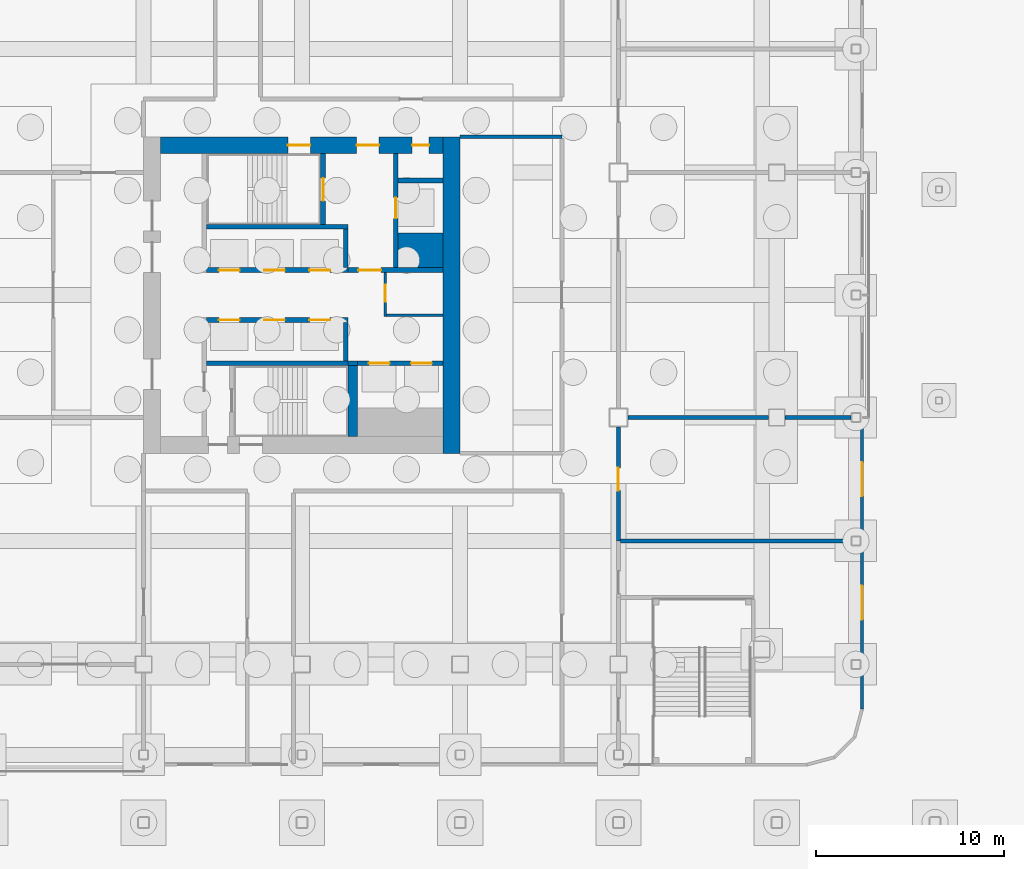
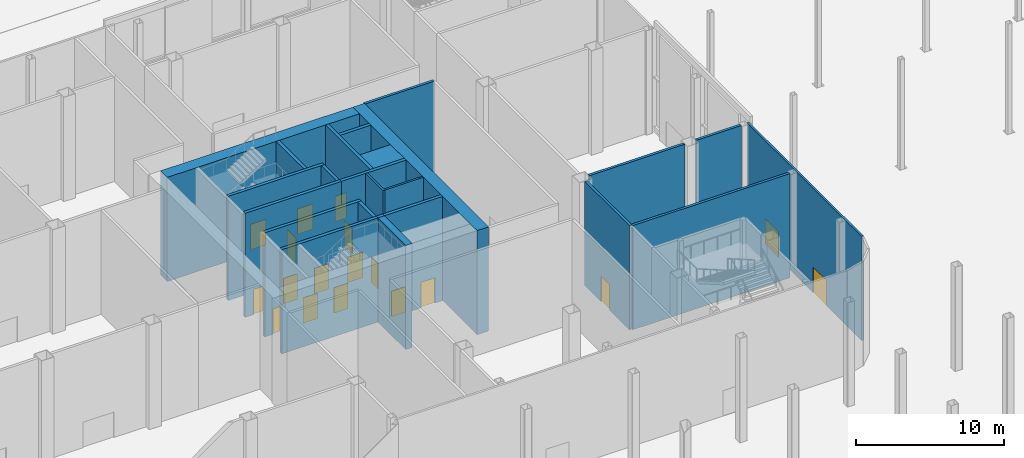
# One storey, part 41 of 113: 24 walls, 18 doors, 18 openings.
"""IFC4 building model written with IfcOpenShell, lengths in metres."""

from ifc_helpers import new_model, si_unit, direction, frame, frame_2d, origin, place, context, subcontext, project, spatial, rectangle, extrude, material, layer, layer_set, type_object, element, fill, save


model = new_model("IFC4")

# Units and contexts
model_context = context("Model", 3, precision=1e-05, world=origin(), true_north=direction((0.0, 1.0)))
body_context = subcontext(model_context, "Body", "Model", "MODEL_VIEW")
ifc_project = project(units=[si_unit("LENGTHUNIT", "METRE"), si_unit("AREAUNIT", "SQUARE_METRE"), si_unit("VOLUMEUNIT", "CUBIC_METRE"), si_unit("PLANEANGLEUNIT", "RADIAN"), si_unit("MASSUNIT", "GRAM", prefix="KILO")], contexts=[model_context])

# Site, building, storey
site_placement = place(None, origin())
site = spatial("IfcSite", under=ifc_project, at=site_placement, CompositionType="ELEMENT")
building_placement = place(site_placement, origin())
building = spatial("IfcBuilding", under=site, at=building_placement, Name="Hakoniwa Tower and Hamabe Station Hall", CompositionType="ELEMENT")
storey_placement = place(building_placement, origin())
storey = spatial("IfcBuildingStorey", under=building, at=storey_placement, Name="L01", CompositionType="ELEMENT", Elevation=0.0)

# Wall, opening, door
ifc_material_1 = material(Name="Gypsum board partition")
ifc_layer_1 = layer(ifc_material_1, 0.14990234375)
ifc_layer_set_1 = layer_set([ifc_layer_1], Name="CORE PARTITION 150 EI 60")
wall_type_1 = type_object("IfcWallType", Name="CORE PARTITION 150 EI 60", PredefinedType="PARTITIONING", material=ifc_layer_set_1)
wall_1_placement = place(storey_placement, frame((29.625, -1.14990234375, 0.0), z_axis=(0.0, 0.0, 1.0), x_axis=(0.0, 1.0, 0.0)))
wall_1 = element("IfcWall", 1, at=wall_1_placement, inside=storey, type_object=wall_type_1, Name="Core partition PW0 east", PredefinedType="PARTITIONING", context=body_context, shape_type="SweptSolid", body=[
    extrude(rectangle(XDim=2.349853515625, YDim=0.14990234375, at=frame_2d((1.1748046875, 0.0))), origin(), (0.0, 0.0, 1.0), 8.60009765625),
])
opening_1_placement = place(wall_1_placement, frame((0.800048828125, 0.0, 0.0)))
opening_1 = element("IfcOpeningElement", 2, at=opening_1_placement, cuts=wall_1, Name="Opening CD-E-RM1-9", PredefinedType="OPENING", context=body_context, shape_type="SweptSolid", body=[
    extrude(rectangle(XDim=0.89990234375, YDim=2.10009765625, at=frame_2d((0.449951171875, 1.050048828125))), frame((0.0, 0.0849609375, 0.0), z_axis=(0.0, -1.0, 0.0), x_axis=(1.0, 0.0, 0.0)), (0.0, 0.0, 1.0), 0.169921875),
])
ifc_material_2 = material(Name="Steel fire door", Category="steel")
door_type_1 = type_object("IfcDoorType", Name="CORE DOOR 900 FD30", OperationType="NOTDEFINED", PredefinedType="DOOR", material=ifc_material_2)
door_1_placement = place(opening_1_placement, origin())
door_1 = element("IfcDoor", 3, at=door_1_placement, inside=storey, type_object=door_type_1, Name="Store room door", OperationType="SINGLE_SWING_RIGHT", OverallHeight=2.10009765625, OverallWidth=0.89990234375, PredefinedType="DOOR", context=body_context, shape_type="SweptSolid", body=[
    extrude(rectangle(XDim=0.89990234375, YDim=2.10009765625, at=frame_2d((0.449951171875, 1.050048828125))), frame((0.0, 0.02490234375, 0.0), z_axis=(0.0, -1.0, 0.0), x_axis=(1.0, 0.0, 0.0)), (0.0, 0.0, 1.0), 0.050048828125),
])
fill(opening_1, door_1)

# Walls
wall_2_placement = place(storey_placement, frame((29.699951171875, -1.074951171875, 0.0), z_axis=(0.0, 0.0, 1.0), x_axis=(1.0, 0.0, 0.0)))
element("IfcWall", 4, at=wall_2_placement, inside=storey, type_object=wall_type_1, Name="Core partition PS east", PredefinedType="PARTITIONING", context=body_context, shape_type="SweptSolid", body=[
    extrude(rectangle(XDim=3.0, YDim=0.14990234375, at=frame_2d((1.5, 0.0))), origin(), (0.0, 0.0, 1.0), 8.60009765625),
])
ifc_material_3 = material(Name="Concrete C80", Category="concrete")
ifc_layer_2 = layer(ifc_material_3, 0.89990234375)
ifc_layer_set_2 = layer_set([ifc_layer_2], Name="CORE WALL 900 C80")
wall_type_2 = type_object("IfcWallType", Name="CORE WALL 900 C80", PredefinedType="SHEAR", material=ifc_layer_set_2)
wall_3_placement = place(storey_placement, frame((33.14990234375, -8.39990234375, 0.0), z_axis=(0.0, 0.0, 1.0), x_axis=(0.0, 1.0, 0.0)))
element("IfcWall", 5, at=wall_3_placement, inside=storey, type_object=wall_type_2, Name="Core wall OUTER east", PredefinedType="SHEAR", context=body_context, shape_type="SweptSolid", body=[
    extrude(rectangle(XDim=16.7998046875, YDim=0.89990234375, at=frame_2d((8.39990234375, 0.0))), origin(), (0.0, 0.0, 1.0), 8.60009765625),
])

# Wall, openings, doors
wall_4_placement = place(storey_placement, frame((17.699951171875, 7.949951171875, 0.0), z_axis=(0.0, 0.0, 1.0), x_axis=(1.0, 0.0, 0.0)))
wall_4 = element("IfcWall", 6, at=wall_4_placement, inside=storey, type_object=wall_type_2, Name="Core wall NORTH east", PredefinedType="SHEAR", context=body_context, shape_type="SweptSolid", body=[
    extrude(rectangle(XDim=15.0, YDim=0.89990234375, at=frame_2d((7.5, 0.0))), origin(), (0.0, 0.0, 1.0), 8.60009765625),
])
opening_2_placement = place(wall_4_placement, frame((10.39990234375, 0.0, 0.0)))
opening_2 = element("IfcOpeningElement", 7, at=opening_2_placement, cuts=wall_4, Name="Opening CD-E-FN1-12", PredefinedType="OPENING", context=body_context, shape_type="SweptSolid", body=[
    extrude(rectangle(XDim=1.199951171875, YDim=2.10009765625, at=frame_2d((0.60009765625, 1.050048828125))), frame((0.0, 0.4599609375, 0.0), z_axis=(0.0, -1.0, 0.0), x_axis=(1.0, 0.0, 0.0)), (0.0, 0.0, 1.0), 0.919921875),
])
opening_3_placement = place(wall_4_placement, frame((13.35009765625, 0.0, 0.0)))
opening_3 = element("IfcOpeningElement", 8, at=opening_3_placement, cuts=wall_4, Name="Opening CD-E-FN2-9", PredefinedType="OPENING", context=body_context, shape_type="SweptSolid", body=[
    extrude(rectangle(XDim=0.89990234375, YDim=2.10009765625, at=frame_2d((0.449951171875, 1.050048828125))), frame((0.0, 0.4599609375, 0.0), z_axis=(0.0, -1.0, 0.0), x_axis=(1.0, 0.0, 0.0)), (0.0, 0.0, 1.0), 0.919921875),
])
opening_4_placement = place(wall_4_placement, frame((6.75, 0.0, 0.0)))
opening_4 = element("IfcOpeningElement", 9, at=opening_4_placement, cuts=wall_4, Name="Opening CD-E-FN4-12", PredefinedType="OPENING", context=body_context, shape_type="SweptSolid", body=[
    extrude(rectangle(XDim=1.199951171875, YDim=2.10009765625, at=frame_2d((0.60009765625, 1.050048828125))), frame((0.0, 0.4599609375, 0.0), z_axis=(0.0, -1.0, 0.0), x_axis=(1.0, 0.0, 0.0)), (0.0, 0.0, 1.0), 0.919921875),
])
ifc_material_4 = material(Name="Steel fire door", Category="steel")
door_type_2 = type_object("IfcDoorType", Name="CORE DOOR 1200 FD60", OperationType="DOUBLE_DOOR_SINGLE_SWING", PredefinedType="DOOR", material=ifc_material_4)
door_2_placement = place(opening_2_placement, origin())
door_2 = element("IfcDoor", 10, at=door_2_placement, inside=storey, type_object=door_type_2, Name="Stair vestibule door to the fire-fighting lobby", OperationType="DOUBLE_DOOR_SINGLE_SWING", OverallHeight=2.10009765625, OverallWidth=1.199951171875, PredefinedType="DOOR", context=body_context, shape_type="SweptSolid", body=[
    extrude(rectangle(XDim=1.199951171875, YDim=2.10009765625, at=frame_2d((0.60009765625, 1.050048828125))), frame((0.0, 0.02490234375, 0.0), z_axis=(0.0, -1.0, 0.0), x_axis=(1.0, 0.0, 0.0)), (0.0, 0.0, 1.0), 0.050048828125),
])
fill(opening_2, door_2)
door_3_placement = place(opening_4_placement, origin())
door_3 = element("IfcDoor", 11, at=door_3_placement, inside=storey, type_object=door_type_2, Name="Escape stair discharge door A", OperationType="DOUBLE_DOOR_SINGLE_SWING", OverallHeight=2.10009765625, OverallWidth=1.199951171875, PredefinedType="DOOR", context=body_context, shape_type="SweptSolid", body=[
    extrude(rectangle(XDim=1.199951171875, YDim=2.10009765625, at=frame_2d((0.60009765625, 1.050048828125))), frame((0.0, 0.02490234375, 0.0), z_axis=(0.0, -1.0, 0.0), x_axis=(1.0, 0.0, 0.0)), (0.0, 0.0, 1.0), 0.050048828125),
])
fill(opening_4, door_3)
door_4_placement = place(opening_3_placement, origin())
door_4 = element("IfcDoor", 12, at=door_4_placement, inside=storey, type_object=door_type_1, Name="Riser access door", OperationType="SINGLE_SWING_LEFT", OverallHeight=2.10009765625, OverallWidth=0.89990234375, PredefinedType="DOOR", context=body_context, shape_type="SweptSolid", body=[
    extrude(rectangle(XDim=0.89990234375, YDim=2.10009765625, at=frame_2d((0.449951171875, 1.050048828125))), frame((0.0, 0.02490234375, 0.0), z_axis=(0.0, -1.0, 0.0), x_axis=(1.0, 0.0, 0.0)), (0.0, 0.0, 1.0), 0.050048828125),
])
fill(opening_3, door_4)

# Wall
ifc_material_5 = material(Name="Concrete C80", Category="concrete")
ifc_layer_3 = layer(ifc_material_5, 1.85009765625)
ifc_layer_set_3 = layer_set([ifc_layer_3], Name="CORE WEB WALL 1850 C80")
wall_type_3 = type_object("IfcWallType", Name="CORE WEB WALL 1850 C80", PredefinedType="SHEAR", material=ifc_layer_set_3)
wall_5_placement = place(storey_placement, frame((30.300048828125, 2.375, 0.0), z_axis=(0.0, 0.0, 1.0), x_axis=(1.0, 0.0, 0.0)))
element("IfcWall", 13, at=wall_5_placement, inside=storey, type_object=wall_type_3, Name="Core wall CA east", PredefinedType="SHEAR", context=body_context, shape_type="SweptSolid", body=[
    extrude(rectangle(XDim=2.39990234375, YDim=1.85009765625, at=frame_2d((1.199951171875, 0.0))), origin(), (0.0, 0.0, 1.0), 8.60009765625),
])

# Wall, openings, doors
ifc_material_6 = material(Name="Concrete C80", Category="concrete")
ifc_layer_4 = layer(ifc_material_6, 0.25)
ifc_layer_set_4 = layer_set([ifc_layer_4], Name="CORE WEB WALL 250 C80")
wall_type_4 = type_object("IfcWallType", Name="CORE WEB WALL 250 C80", PredefinedType="SHEAR", material=ifc_layer_set_4)
wall_6_placement = place(storey_placement, frame((20.14990234375, 1.324951171875, 0.0), z_axis=(0.0, 0.0, 1.0), x_axis=(1.0, 0.0, 0.0)))
wall_6 = element("IfcWall", 14, at=wall_6_placement, inside=storey, type_object=wall_type_4, Name="Core wall NF east", PredefinedType="SHEAR", context=body_context, shape_type="SweptSolid", body=[
    extrude(rectangle(XDim=7.5, YDim=0.25, at=frame_2d((3.75, 0.0))), origin(), (0.0, 0.0, 1.0), 8.60009765625),
])
opening_5_placement = place(wall_6_placement, frame((0.64990234375, 0.0, 0.0)))
opening_5 = element("IfcOpeningElement", 15, at=opening_5_placement, cuts=wall_6, Name="Opening LD-LR4", PredefinedType="OPENING", context=body_context, shape_type="SweptSolid", body=[
    extrude(rectangle(XDim=1.10009765625, YDim=2.10009765625, at=frame_2d((0.550048828125, 1.050048828125))), frame((0.0, 0.135009765625, 0.0), z_axis=(0.0, -1.0, 0.0), x_axis=(1.0, 0.0, 0.0)), (0.0, 0.0, 1.0), 0.27001953125),
])
opening_6_placement = place(wall_6_placement, frame((3.050048828125, 0.0, 0.0)))
opening_6 = element("IfcOpeningElement", 16, at=opening_6_placement, cuts=wall_6, Name="Opening LD-LR5", PredefinedType="OPENING", context=body_context, shape_type="SweptSolid", body=[
    extrude(rectangle(XDim=1.10009765625, YDim=2.10009765625, at=frame_2d((0.550048828125, 1.050048828125))), frame((0.0, 0.135009765625, 0.0), z_axis=(0.0, -1.0, 0.0), x_axis=(1.0, 0.0, 0.0)), (0.0, 0.0, 1.0), 0.27001953125),
])
opening_7_placement = place(wall_6_placement, frame((5.449951171875, 0.0, 0.0)))
opening_7 = element("IfcOpeningElement", 17, at=opening_7_placement, cuts=wall_6, Name="Opening LD-LR6", PredefinedType="OPENING", context=body_context, shape_type="SweptSolid", body=[
    extrude(rectangle(XDim=1.10009765625, YDim=2.10009765625, at=frame_2d((0.550048828125, 1.050048828125))), frame((0.0, 0.135009765625, 0.0), z_axis=(0.0, -1.0, 0.0), x_axis=(1.0, 0.0, 0.0)), (0.0, 0.0, 1.0), 0.27001953125),
])
ifc_material_7 = material(Name="Stainless steel SUS304", Category="steel")
door_type_3 = type_object("IfcDoorType", Name="LIFT LANDING DOOR 1100 FD60", OperationType="DOUBLE_DOOR_SLIDING", PredefinedType="DOOR", material=ifc_material_7)
door_5_placement = place(opening_5_placement, origin())
door_5 = element("IfcDoor", 18, at=door_5_placement, inside=storey, type_object=door_type_3, Name="Lift landing door LR4 L01", OperationType="DOUBLE_DOOR_SLIDING", OverallHeight=2.10009765625, OverallWidth=1.10009765625, PredefinedType="DOOR", context=body_context, shape_type="SweptSolid", body=[
    extrude(rectangle(XDim=1.10009765625, YDim=2.10009765625, at=frame_2d((0.550048828125, 1.050048828125))), frame((0.0, 0.02490234375, 0.0), z_axis=(0.0, -1.0, 0.0), x_axis=(1.0, 0.0, 0.0)), (0.0, 0.0, 1.0), 0.050048828125),
])
fill(opening_5, door_5)
door_6_placement = place(opening_6_placement, origin())
door_6 = element("IfcDoor", 19, at=door_6_placement, inside=storey, type_object=door_type_3, Name="Lift landing door LR5 L01", OperationType="DOUBLE_DOOR_SLIDING", OverallHeight=2.10009765625, OverallWidth=1.10009765625, PredefinedType="DOOR", context=body_context, shape_type="SweptSolid", body=[
    extrude(rectangle(XDim=1.10009765625, YDim=2.10009765625, at=frame_2d((0.550048828125, 1.050048828125))), frame((0.0, 0.02490234375, 0.0), z_axis=(0.0, -1.0, 0.0), x_axis=(1.0, 0.0, 0.0)), (0.0, 0.0, 1.0), 0.050048828125),
])
fill(opening_6, door_6)
door_7_placement = place(opening_7_placement, origin())
door_7 = element("IfcDoor", 20, at=door_7_placement, inside=storey, type_object=door_type_3, Name="Lift landing door LR6 L01", OperationType="DOUBLE_DOOR_SLIDING", OverallHeight=2.10009765625, OverallWidth=1.10009765625, PredefinedType="DOOR", context=body_context, shape_type="SweptSolid", body=[
    extrude(rectangle(XDim=1.10009765625, YDim=2.10009765625, at=frame_2d((0.550048828125, 1.050048828125))), frame((0.0, 0.02490234375, 0.0), z_axis=(0.0, -1.0, 0.0), x_axis=(1.0, 0.0, 0.0)), (0.0, 0.0, 1.0), 0.050048828125),
])
fill(opening_7, door_7)

# Walls
wall_7_placement = place(storey_placement, frame((27.52490234375, 1.449951171875, 0.0), z_axis=(0.0, 0.0, 1.0), x_axis=(0.0, 1.0, 0.0)))
element("IfcWall", 21, at=wall_7_placement, inside=storey, type_object=wall_type_4, Name="Core wall NE east", PredefinedType="SHEAR", context=body_context, shape_type="SweptSolid", body=[
    extrude(rectangle(XDim=2.050048828125, YDim=0.25, at=frame_2d((1.02490234375, 0.0))), origin(), (0.0, 0.0, 1.0), 8.60009765625),
])
wall_8_placement = place(storey_placement, frame((20.14990234375, 3.625, 0.0), z_axis=(0.0, 0.0, 1.0), x_axis=(1.0, 0.0, 0.0)))
element("IfcWall", 22, at=wall_8_placement, inside=storey, type_object=wall_type_4, Name="Core wall NR east", PredefinedType="SHEAR", context=body_context, shape_type="SweptSolid", body=[
    extrude(rectangle(XDim=7.5, YDim=0.25, at=frame_2d((3.75, 0.0))), origin(), (0.0, 0.0, 1.0), 8.60009765625),
])

# Wall, opening, door
wall_9_placement = place(storey_placement, frame((26.324951171875, 3.75, 0.0), z_axis=(0.0, 0.0, 1.0), x_axis=(0.0, 1.0, 0.0)))
wall_9 = element("IfcWall", 23, at=wall_9_placement, inside=storey, type_object=wall_type_4, Name="Core wall NSE east", PredefinedType="SHEAR", context=body_context, shape_type="SweptSolid", body=[
    extrude(rectangle(XDim=3.75, YDim=0.25, at=frame_2d((1.875, 0.0))), origin(), (0.0, 0.0, 1.0), 8.60009765625),
])
opening_8_placement = place(wall_9_placement, frame((1.25, 0.0, 0.0)))
opening_8 = element("IfcOpeningElement", 24, at=opening_8_placement, cuts=wall_9, Name="Opening CD-E-SN-12", PredefinedType="OPENING", context=body_context, shape_type="SweptSolid", body=[
    extrude(rectangle(XDim=1.199951171875, YDim=2.10009765625, at=frame_2d((0.60009765625, 1.050048828125))), frame((0.0, 0.135009765625, 0.0), z_axis=(0.0, -1.0, 0.0), x_axis=(1.0, 0.0, 0.0)), (0.0, 0.0, 1.0), 0.27001953125),
])
door_8_placement = place(opening_8_placement, origin())
door_8 = element("IfcDoor", 25, at=door_8_placement, inside=storey, type_object=door_type_2, Name="Escape stair door", OperationType="DOUBLE_DOOR_SINGLE_SWING", OverallHeight=2.10009765625, OverallWidth=1.199951171875, PredefinedType="DOOR", context=body_context, shape_type="SweptSolid", body=[
    extrude(rectangle(XDim=1.199951171875, YDim=2.10009765625, at=frame_2d((0.60009765625, 1.050048828125))), frame((0.0, 0.02490234375, 0.0), z_axis=(0.0, -1.0, 0.0), x_axis=(1.0, 0.0, 0.0)), (0.0, 0.0, 1.0), 0.050048828125),
])
fill(opening_8, door_8)

wall_10_placement = place(storey_placement, frame((27.64990234375, 1.324951171875, 0.0), z_axis=(0.0, 0.0, 1.0), x_axis=(1.0, 0.0, 0.0)))
wall_10 = element("IfcWall", 26, at=wall_10_placement, inside=storey, type_object=wall_type_4, Name="Core wall ELN east", PredefinedType="SHEAR", context=body_context, shape_type="SweptSolid", body=[
    extrude(rectangle(XDim=5.050048828125, YDim=0.25, at=frame_2d((2.52490234375, 0.0))), origin(), (0.0, 0.0, 1.0), 8.60009765625),
])
opening_9_placement = place(wall_10_placement, frame((0.550048828125, 0.0, 0.0)))
opening_9 = element("IfcOpeningElement", 27, at=opening_9_placement, cuts=wall_10, Name="Opening CD-E-FL-12", PredefinedType="OPENING", context=body_context, shape_type="SweptSolid", body=[
    extrude(rectangle(XDim=1.199951171875, YDim=2.10009765625, at=frame_2d((0.60009765625, 1.050048828125))), frame((0.0, 0.135009765625, 0.0), z_axis=(0.0, -1.0, 0.0), x_axis=(1.0, 0.0, 0.0)), (0.0, 0.0, 1.0), 0.27001953125),
])
door_9_placement = place(opening_9_placement, origin())
door_9 = element("IfcDoor", 28, at=door_9_placement, inside=storey, type_object=door_type_2, Name="Stair vestibule door to the fire-fighting lobby", OperationType="DOUBLE_DOOR_SINGLE_SWING", OverallHeight=2.10009765625, OverallWidth=1.199951171875, PredefinedType="DOOR", context=body_context, shape_type="SweptSolid", body=[
    extrude(rectangle(XDim=1.199951171875, YDim=2.10009765625, at=frame_2d((0.60009765625, 1.050048828125))), frame((0.0, 0.02490234375, 0.0), z_axis=(0.0, -1.0, 0.0), x_axis=(1.0, 0.0, 0.0)), (0.0, 0.0, 1.0), 0.050048828125),
])
fill(opening_9, door_9)

wall_11_placement = place(storey_placement, frame((30.175048828125, 1.449951171875, 0.0), z_axis=(0.0, 0.0, 1.0), x_axis=(0.0, 1.0, 0.0)))
wall_11 = element("IfcWall", 29, at=wall_11_placement, inside=storey, type_object=wall_type_4, Name="Core wall FFF east", PredefinedType="SHEAR", context=body_context, shape_type="SweptSolid", body=[
    extrude(rectangle(XDim=6.050048828125, YDim=0.25, at=frame_2d((3.02490234375, 0.0))), origin(), (0.0, 0.0, 1.0), 8.60009765625),
])
opening_10_placement = place(wall_11_placement, frame((2.625, 0.0, 0.0)))
opening_10 = element("IfcOpeningElement", 30, at=opening_10_placement, cuts=wall_11, Name="Opening LD-FF2", PredefinedType="OPENING", context=body_context, shape_type="SweptSolid", body=[
    extrude(rectangle(XDim=1.10009765625, YDim=2.10009765625, at=frame_2d((0.550048828125, 1.050048828125))), frame((0.0, 0.135009765625, 0.0), z_axis=(0.0, -1.0, 0.0), x_axis=(1.0, 0.0, 0.0)), (0.0, 0.0, 1.0), 0.27001953125),
])
door_10_placement = place(opening_10_placement, origin())
door_10 = element("IfcDoor", 31, at=door_10_placement, inside=storey, type_object=door_type_3, Name="Lift landing door FF2 L01", OperationType="DOUBLE_DOOR_SLIDING", OverallHeight=2.10009765625, OverallWidth=1.10009765625, PredefinedType="DOOR", context=body_context, shape_type="SweptSolid", body=[
    extrude(rectangle(XDim=1.10009765625, YDim=2.10009765625, at=frame_2d((0.550048828125, 1.050048828125))), frame((0.0, 0.02490234375, 0.0), z_axis=(0.0, -1.0, 0.0), x_axis=(1.0, 0.0, 0.0)), (0.0, 0.0, 1.0), 0.050048828125),
])
fill(opening_10, door_10)

# Wall
wall_12_placement = place(storey_placement, frame((30.300048828125, 6.074951171875, 0.0), z_axis=(0.0, 0.0, 1.0), x_axis=(1.0, 0.0, 0.0)))
element("IfcWall", 32, at=wall_12_placement, inside=storey, type_object=wall_type_4, Name="Core wall C2 east", PredefinedType="SHEAR", context=body_context, shape_type="SweptSolid", body=[
    extrude(rectangle(XDim=2.39990234375, YDim=0.25, at=frame_2d((1.199951171875, 0.0))), origin(), (0.0, 0.0, 1.0), 8.60009765625),
])

# Wall, openings, doors
wall_13_placement = place(storey_placement, frame((20.14990234375, -1.324951171875, 0.0), z_axis=(0.0, 0.0, 1.0), x_axis=(1.0, 0.0, 0.0)))
wall_13 = element("IfcWall", 33, at=wall_13_placement, inside=storey, type_object=wall_type_4, Name="Core wall SF east", PredefinedType="SHEAR", context=body_context, shape_type="SweptSolid", body=[
    extrude(rectangle(XDim=7.5, YDim=0.25, at=frame_2d((3.75, 0.0))), origin(), (0.0, 0.0, 1.0), 8.60009765625),
])
opening_11_placement = place(wall_13_placement, frame((0.64990234375, 0.0, 0.0)))
opening_11 = element("IfcOpeningElement", 34, at=opening_11_placement, cuts=wall_13, Name="Opening LD-HR4", PredefinedType="OPENING", context=body_context, shape_type="SweptSolid", body=[
    extrude(rectangle(XDim=1.10009765625, YDim=2.10009765625, at=frame_2d((0.550048828125, 1.050048828125))), frame((0.0, 0.135009765625, 0.0), z_axis=(0.0, -1.0, 0.0), x_axis=(1.0, 0.0, 0.0)), (0.0, 0.0, 1.0), 0.27001953125),
])
opening_12_placement = place(wall_13_placement, frame((3.050048828125, 0.0, 0.0)))
opening_12 = element("IfcOpeningElement", 35, at=opening_12_placement, cuts=wall_13, Name="Opening LD-HR5", PredefinedType="OPENING", context=body_context, shape_type="SweptSolid", body=[
    extrude(rectangle(XDim=1.10009765625, YDim=2.10009765625, at=frame_2d((0.550048828125, 1.050048828125))), frame((0.0, 0.135009765625, 0.0), z_axis=(0.0, -1.0, 0.0), x_axis=(1.0, 0.0, 0.0)), (0.0, 0.0, 1.0), 0.27001953125),
])
opening_13_placement = place(wall_13_placement, frame((5.449951171875, 0.0, 0.0)))
opening_13 = element("IfcOpeningElement", 36, at=opening_13_placement, cuts=wall_13, Name="Opening LD-HR6", PredefinedType="OPENING", context=body_context, shape_type="SweptSolid", body=[
    extrude(rectangle(XDim=1.10009765625, YDim=2.10009765625, at=frame_2d((0.550048828125, 1.050048828125))), frame((0.0, 0.135009765625, 0.0), z_axis=(0.0, -1.0, 0.0), x_axis=(1.0, 0.0, 0.0)), (0.0, 0.0, 1.0), 0.27001953125),
])
door_11_placement = place(opening_11_placement, origin())
door_11 = element("IfcDoor", 37, at=door_11_placement, inside=storey, type_object=door_type_3, Name="Lift landing door HR4 L01", OperationType="DOUBLE_DOOR_SLIDING", OverallHeight=2.10009765625, OverallWidth=1.10009765625, PredefinedType="DOOR", context=body_context, shape_type="SweptSolid", body=[
    extrude(rectangle(XDim=1.10009765625, YDim=2.10009765625, at=frame_2d((0.550048828125, 1.050048828125))), frame((0.0, 0.02490234375, 0.0), z_axis=(0.0, -1.0, 0.0), x_axis=(1.0, 0.0, 0.0)), (0.0, 0.0, 1.0), 0.050048828125),
])
fill(opening_11, door_11)
door_12_placement = place(opening_12_placement, origin())
door_12 = element("IfcDoor", 38, at=door_12_placement, inside=storey, type_object=door_type_3, Name="Lift landing door HR5 L01", OperationType="DOUBLE_DOOR_SLIDING", OverallHeight=2.10009765625, OverallWidth=1.10009765625, PredefinedType="DOOR", context=body_context, shape_type="SweptSolid", body=[
    extrude(rectangle(XDim=1.10009765625, YDim=2.10009765625, at=frame_2d((0.550048828125, 1.050048828125))), frame((0.0, 0.02490234375, 0.0), z_axis=(0.0, -1.0, 0.0), x_axis=(1.0, 0.0, 0.0)), (0.0, 0.0, 1.0), 0.050048828125),
])
fill(opening_12, door_12)
door_13_placement = place(opening_13_placement, origin())
door_13 = element("IfcDoor", 39, at=door_13_placement, inside=storey, type_object=door_type_3, Name="Lift landing door HR6 L01", OperationType="DOUBLE_DOOR_SLIDING", OverallHeight=2.10009765625, OverallWidth=1.10009765625, PredefinedType="DOOR", context=body_context, shape_type="SweptSolid", body=[
    extrude(rectangle(XDim=1.10009765625, YDim=2.10009765625, at=frame_2d((0.550048828125, 1.050048828125))), frame((0.0, 0.02490234375, 0.0), z_axis=(0.0, -1.0, 0.0), x_axis=(1.0, 0.0, 0.0)), (0.0, 0.0, 1.0), 0.050048828125),
])
fill(opening_13, door_13)

# Walls
wall_14_placement = place(storey_placement, frame((27.52490234375, -3.5, 0.0), z_axis=(0.0, 0.0, 1.0), x_axis=(0.0, 1.0, 0.0)))
element("IfcWall", 40, at=wall_14_placement, inside=storey, type_object=wall_type_4, Name="Core wall SE east", PredefinedType="SHEAR", context=body_context, shape_type="SweptSolid", body=[
    extrude(rectangle(XDim=2.050048828125, YDim=0.25, at=frame_2d((1.02490234375, 0.0))), origin(), (0.0, 0.0, 1.0), 8.60009765625),
])
wall_15_placement = place(storey_placement, frame((20.14990234375, -3.625, 0.0), z_axis=(0.0, 0.0, 1.0), x_axis=(1.0, 0.0, 0.0)))
element("IfcWall", 41, at=wall_15_placement, inside=storey, type_object=wall_type_4, Name="Core wall SR east", PredefinedType="SHEAR", context=body_context, shape_type="SweptSolid", body=[
    extrude(rectangle(XDim=7.5, YDim=0.25, at=frame_2d((3.75, 0.0))), origin(), (0.0, 0.0, 1.0), 8.60009765625),
])

# Wall, openings, doors
wall_16_placement = place(storey_placement, frame((28.14990234375, -3.625, 0.0), z_axis=(0.0, 0.0, 1.0), x_axis=(1.0, 0.0, 0.0)))
wall_16 = element("IfcWall", 42, at=wall_16_placement, inside=storey, type_object=wall_type_4, Name="Core wall SEF east", PredefinedType="SHEAR", context=body_context, shape_type="SweptSolid", body=[
    extrude(rectangle(XDim=4.550048828125, YDim=0.25, at=frame_2d((2.27490234375, 0.0))), origin(), (0.0, 0.0, 1.0), 8.60009765625),
])
opening_14_placement = place(wall_16_placement, frame((0.60009765625, 0.0, 0.0)))
opening_14 = element("IfcOpeningElement", 43, at=opening_14_placement, cuts=wall_16, Name="Opening LD-OB1", PredefinedType="OPENING", context=body_context, shape_type="SweptSolid", body=[
    extrude(rectangle(XDim=1.10009765625, YDim=2.10009765625, at=frame_2d((0.550048828125, 1.050048828125))), frame((0.0, 0.135009765625, 0.0), z_axis=(0.0, -1.0, 0.0), x_axis=(1.0, 0.0, 0.0)), (0.0, 0.0, 1.0), 0.27001953125),
])
opening_15_placement = place(wall_16_placement, frame((2.85009765625, 0.0, 0.0)))
opening_15 = element("IfcOpeningElement", 44, at=opening_15_placement, cuts=wall_16, Name="Opening LD-OB2", PredefinedType="OPENING", context=body_context, shape_type="SweptSolid", body=[
    extrude(rectangle(XDim=1.10009765625, YDim=2.10009765625, at=frame_2d((0.550048828125, 1.050048828125))), frame((0.0, 0.135009765625, 0.0), z_axis=(0.0, -1.0, 0.0), x_axis=(1.0, 0.0, 0.0)), (0.0, 0.0, 1.0), 0.27001953125),
])
door_14_placement = place(opening_14_placement, origin())
door_14 = element("IfcDoor", 45, at=door_14_placement, inside=storey, type_object=door_type_3, Name="Lift landing door OB1 L01", OperationType="DOUBLE_DOOR_SLIDING", OverallHeight=2.10009765625, OverallWidth=1.10009765625, PredefinedType="DOOR", context=body_context, shape_type="SweptSolid", body=[
    extrude(rectangle(XDim=1.10009765625, YDim=2.10009765625, at=frame_2d((0.550048828125, 1.050048828125))), frame((0.0, 0.02490234375, 0.0), z_axis=(0.0, -1.0, 0.0), x_axis=(1.0, 0.0, 0.0)), (0.0, 0.0, 1.0), 0.050048828125),
])
fill(opening_14, door_14)
door_15_placement = place(opening_15_placement, origin())
door_15 = element("IfcDoor", 46, at=door_15_placement, inside=storey, type_object=door_type_3, Name="Lift landing door OB2 L01", OperationType="DOUBLE_DOOR_SLIDING", OverallHeight=2.10009765625, OverallWidth=1.10009765625, PredefinedType="DOOR", context=body_context, shape_type="SweptSolid", body=[
    extrude(rectangle(XDim=1.10009765625, YDim=2.10009765625, at=frame_2d((0.550048828125, 1.050048828125))), frame((0.0, 0.02490234375, 0.0), z_axis=(0.0, -1.0, 0.0), x_axis=(1.0, 0.0, 0.0)), (0.0, 0.0, 1.0), 0.050048828125),
])
fill(opening_15, door_15)

# Walls
wall_17_placement = place(storey_placement, frame((27.64990234375, -3.625, 0.0), z_axis=(0.0, 0.0, 1.0), x_axis=(1.0, 0.0, 0.0)))
element("IfcWall", 47, at=wall_17_placement, inside=storey, type_object=wall_type_4, Name="Core wall SRK east", PredefinedType="SHEAR", context=body_context, shape_type="SweptSolid", body=[
    extrude(rectangle(XDim=0.5, YDim=0.25, at=frame_2d((0.25, 0.0))), origin(), (0.0, 0.0, 1.0), 8.60009765625),
])
ifc_material_8 = material(Name="Concrete C80", Category="concrete")
ifc_layer_5 = layer(ifc_material_8, 0.5)
ifc_layer_set_5 = layer_set([ifc_layer_5], Name="CORE WEB WALL 500 C80")
wall_type_5 = type_object("IfcWallType", Name="CORE WEB WALL 500 C80", PredefinedType="SHEAR", material=ifc_layer_set_5)
wall_18_placement = place(storey_placement, frame((27.89990234375, -7.5, 0.0), z_axis=(0.0, 0.0, 1.0), x_axis=(0.0, 1.0, 0.0)))
element("IfcWall", 48, at=wall_18_placement, inside=storey, type_object=wall_type_5, Name="Core wall SSE east", PredefinedType="SHEAR", context=body_context, shape_type="SweptSolid", body=[
    extrude(rectangle(XDim=3.75, YDim=0.5, at=frame_2d((1.875, 0.0))), origin(), (0.0, 0.0, 1.0), 8.60009765625),
])

# Wall, openings, doors
ifc_material_9 = material(Name="Dark glass-faced aluminium panel", Category="aluminium")
ifc_layer_6 = layer(ifc_material_9, 0.14990234375)
ifc_layer_set_6 = layer_set([ifc_layer_6], Name="EXTERNAL WALL 150 EI 60")
wall_type_6 = type_object("IfcWallType", Name="EXTERNAL WALL 150 EI 60", PredefinedType="STANDARD", material=ifc_layer_set_6)
wall_19_placement = place(storey_placement, frame((54.925048828125, -6.5, 0.0), z_axis=(0.0, 0.0, 1.0), x_axis=(0.0, -1.0, 0.0)))
wall_19 = element("IfcWall", 49, at=wall_19_placement, inside=storey, type_object=wall_type_6, Name="External wall L01 16-4", PredefinedType="STANDARD", context=body_context, shape_type="SweptSolid", body=[
    extrude(rectangle(XDim=15.480224609375, YDim=0.14990234375, at=frame_2d((7.740234375, 0.0))), origin(), (0.0, 0.0, 1.0), 8.60009765625),
])
opening_16_placement = place(wall_19_placement, frame((2.375, 0.0, 0.0)))
opening_16 = element("IfcOpeningElement", 50, at=opening_16_placement, cuts=wall_19, Name="Opening ED-E-05", PredefinedType="OPENING", context=body_context, shape_type="SweptSolid", body=[
    extrude(rectangle(XDim=1.800048828125, YDim=2.10009765625, at=frame_2d((0.89990234375, 1.050048828125))), frame((0.0, 0.0849609375, 0.0), z_axis=(0.0, -1.0, 0.0), x_axis=(1.0, 0.0, 0.0)), (0.0, 0.0, 1.0), 0.169921875),
])
opening_17_placement = place(wall_19_placement, frame((8.925048828125, 0.0, 0.0)))
opening_17 = element("IfcOpeningElement", 51, at=opening_17_placement, cuts=wall_19, Name="Opening ED-E-06", PredefinedType="OPENING", context=body_context, shape_type="SweptSolid", body=[
    extrude(rectangle(XDim=1.800048828125, YDim=2.10009765625, at=frame_2d((0.89990234375, 1.050048828125))), frame((0.0, 0.0849609375, 0.0), z_axis=(0.0, -1.0, 0.0), x_axis=(1.0, 0.0, 0.0)), (0.0, 0.0, 1.0), 0.169921875),
])
ifc_material_10 = material(Name="Glazed aluminium door", Category="aluminium")
door_type_4 = type_object("IfcDoorType", Name="DOUBLE GLAZED DOOR 1800X2100", OperationType="DOUBLE_DOOR_DOUBLE_SWING", PredefinedType="DOOR", material=ifc_material_10)
door_16_placement = place(opening_16_placement, origin())
door_16 = element("IfcDoor", 52, at=door_16_placement, inside=storey, type_object=door_type_4, Name="Entrance door", OperationType="DOUBLE_DOOR_DOUBLE_SWING", OverallHeight=2.10009765625, OverallWidth=1.800048828125, PredefinedType="DOOR", context=body_context, shape_type="SweptSolid", body=[
    extrude(rectangle(XDim=1.800048828125, YDim=2.10009765625, at=frame_2d((0.89990234375, 1.050048828125))), frame((0.0, 0.02490234375, 0.0), z_axis=(0.0, -1.0, 0.0), x_axis=(1.0, 0.0, 0.0)), (0.0, 0.0, 1.0), 0.050048828125),
])
fill(opening_16, door_16)
door_17_placement = place(opening_17_placement, origin())
door_17 = element("IfcDoor", 53, at=door_17_placement, inside=storey, type_object=door_type_4, Name="Entrance door", OperationType="DOUBLE_DOOR_DOUBLE_SWING", OverallHeight=2.10009765625, OverallWidth=1.800048828125, PredefinedType="DOOR", context=body_context, shape_type="SweptSolid", body=[
    extrude(rectangle(XDim=1.800048828125, YDim=2.10009765625, at=frame_2d((0.89990234375, 1.050048828125))), frame((0.0, 0.02490234375, 0.0), z_axis=(0.0, -1.0, 0.0), x_axis=(1.0, 0.0, 0.0)), (0.0, 0.0, 1.0), 0.050048828125),
])
fill(opening_17, door_17)

# Walls
ifc_material_11 = material(Name="Fire-rated gypsum board partition")
ifc_layer_7 = layer(ifc_material_11, 0.199951171875)
ifc_layer_set_7 = layer_set([ifc_layer_7], Name="FIRE PARTITION 200 EI 60")
wall_type_7 = type_object("IfcWallType", Name="FIRE PARTITION 200 EI 60", PredefinedType="PARTITIONING", material=ifc_layer_set_7)
wall_20_placement = place(storey_placement, frame((54.35009765625, -6.5, 0.0), z_axis=(0.0, 0.0, 1.0), x_axis=(-1.0, 0.0, 0.0)))
element("IfcWall", 54, at=wall_20_placement, inside=storey, type_object=wall_type_7, Name="Wall Arcade Passage Lobby / Retail Unit 4", PredefinedType="PARTITIONING", context=body_context, shape_type="SweptSolid", body=[
    extrude(rectangle(XDim=3.5, YDim=0.199951171875, at=frame_2d((1.75, 0.0))), origin(), (0.0, 0.0, 1.0), 8.60009765625),
])
wall_21_placement = place(storey_placement, frame((49.949951171875, -6.5, 0.0), z_axis=(0.0, 0.0, 1.0), x_axis=(-1.0, 0.0, 0.0)))
element("IfcWall", 55, at=wall_21_placement, inside=storey, type_object=wall_type_7, Name="Wall Arcade Passage Lobby / Retail Unit 4", PredefinedType="PARTITIONING", context=body_context, shape_type="SweptSolid", body=[
    extrude(rectangle(XDim=7.449951171875, YDim=0.199951171875, at=frame_2d((3.72509765625, 0.0))), origin(), (0.0, 0.0, 1.0), 8.60009765625),
])
wall_22_placement = place(storey_placement, frame((39.0, 8.39990234375, 0.0), z_axis=(0.0, 0.0, 1.0), x_axis=(-1.0, 0.0, 0.0)))
element("IfcWall", 56, at=wall_22_placement, inside=storey, type_object=wall_type_7, Name="Wall East Service Corridor / Restaurant Store", PredefinedType="PARTITIONING", context=body_context, shape_type="SweptSolid", body=[
    extrude(rectangle(XDim=5.39990234375, YDim=0.199951171875, at=frame_2d((2.699951171875, 0.0))), origin(), (0.0, 0.0, 1.0), 8.60009765625),
])

# Wall, opening, door
wall_23_placement = place(storey_placement, frame((42.0, -7.0, 0.0), z_axis=(0.0, 0.0, 1.0), x_axis=(0.0, -1.0, 0.0)))
wall_23 = element("IfcWall", 57, at=wall_23_placement, inside=storey, type_object=wall_type_7, Name="Wall East Service Corridor / Retail Unit 4", PredefinedType="PARTITIONING", context=body_context, shape_type="SweptSolid", body=[
    extrude(rectangle(XDim=6.050048828125, YDim=0.199951171875, at=frame_2d((3.02490234375, 0.0))), origin(), (0.0, 0.0, 1.0), 8.60009765625),
])
opening_18_placement = place(wall_23_placement, frame((2.175048828125, 0.0, 0.0)))
opening_18 = element("IfcOpeningElement", 58, at=opening_18_placement, cuts=wall_23, Name="Opening PD-L01-047", PredefinedType="OPENING", context=body_context, shape_type="SweptSolid", body=[
    extrude(rectangle(XDim=1.199951171875, YDim=2.10009765625, at=frame_2d((0.60009765625, 1.050048828125))), frame((0.0, 0.10986328125, 0.0), z_axis=(0.0, -1.0, 0.0), x_axis=(1.0, 0.0, 0.0)), (0.0, 0.0, 1.0), 0.219970703125),
])
ifc_material_12 = material(Name="Steel fire door", Category="steel")
door_type_5 = type_object("IfcDoorType", Name="FIRE DOOR 1200X2100 FD60", OperationType="SINGLE_SWING_LEFT", PredefinedType="DOOR", material=ifc_material_12)
door_18_placement = place(opening_18_placement, origin())
door_18 = element("IfcDoor", 59, at=door_18_placement, inside=storey, type_object=door_type_5, Name="Door PD-L01-047", OperationType="SINGLE_SWING_LEFT", OverallHeight=2.10009765625, OverallWidth=1.199951171875, PredefinedType="DOOR", context=body_context, shape_type="SweptSolid", body=[
    extrude(rectangle(XDim=1.199951171875, YDim=2.10009765625, at=frame_2d((0.60009765625, 1.050048828125))), frame((0.0, 0.02490234375, 0.0), z_axis=(0.0, -1.0, 0.0), x_axis=(1.0, 0.0, 0.0)), (0.0, 0.0, 1.0), 0.050048828125),
])
fill(opening_18, door_18)

# Wall
wall_24_placement = place(storey_placement, frame((54.35009765625, -13.050048828125, 0.0), z_axis=(0.0, 0.0, 1.0), x_axis=(-1.0, 0.0, 0.0)))
element("IfcWall", 60, at=wall_24_placement, inside=storey, type_object=wall_type_7, Name="Wall Retail Unit 4 / Retail Unit 3", PredefinedType="PARTITIONING", context=body_context, shape_type="SweptSolid", body=[
    extrude(rectangle(XDim=12.25, YDim=0.199951171875, at=frame_2d((6.125, 0.0))), origin(), (0.0, 0.0, 1.0), 8.60009765625),
])

save(model, "model.ifc")
